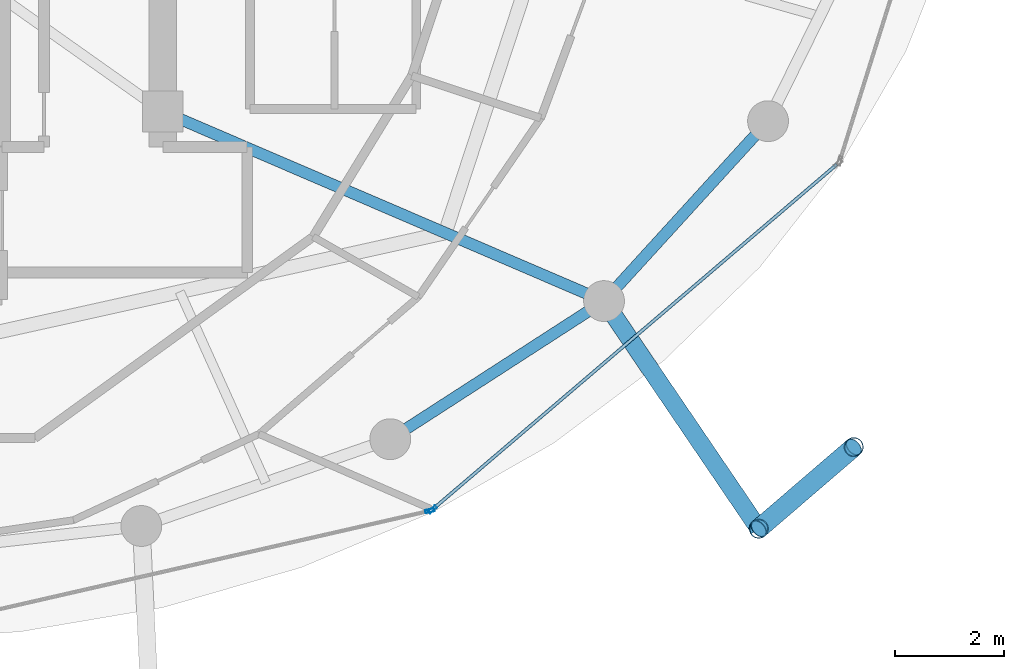
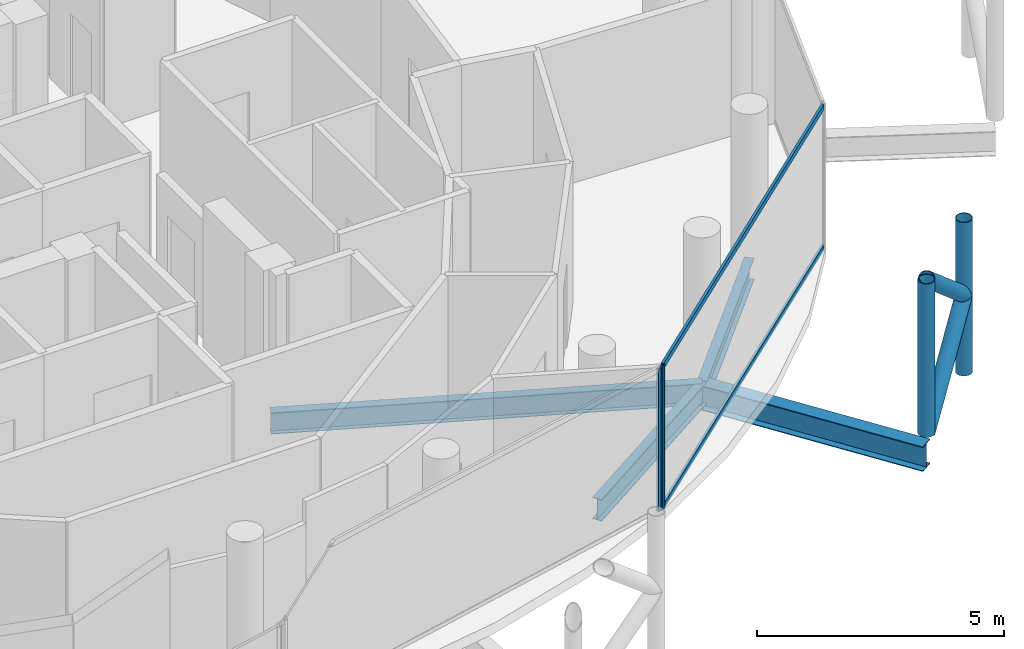
# One storey, part 9 of 24: 8 members, 4 beams, 2 elements without a shape of their own.
"""IFC4 building model written with IfcOpenShell, lengths in metres."""

from ifc_helpers import new_model, si_unit, direction, frame, origin, origin_2d, place, context, subcontext, project, spatial, hollow_rectangle, hollow_circle, i_section, extrude, material, layer, layer_set, material_profile, profile_set, type_object, element, aggregate, save


model = new_model("IFC4")

# Units and contexts
model_context = context("Model", 3, precision=1e-05, world=origin(), true_north=direction((0.0, 1.0)))
body_context = subcontext(model_context, "Body", "Model", "MODEL_VIEW")
ifc_project = project(units=[si_unit("LENGTHUNIT", "METRE"), si_unit("AREAUNIT", "SQUARE_METRE"), si_unit("VOLUMEUNIT", "CUBIC_METRE"), si_unit("PLANEANGLEUNIT", "RADIAN"), si_unit("MASSUNIT", "GRAM", prefix="KILO")], contexts=[model_context])

# Site, building, storey
site_placement = place(None, origin())
site = spatial("IfcSite", under=ifc_project, at=site_placement, CompositionType="ELEMENT")
building_placement = place(site_placement, origin())
building = spatial("IfcBuilding", under=site, at=building_placement, Name="Nuhasar Tower", CompositionType="ELEMENT")
storey_placement = place(building_placement, frame((0.0, 0.0, 259.39990234375)))
storey = spatial("IfcBuildingStorey", under=building, at=storey_placement, Name="L64", CompositionType="ELEMENT", Elevation=259.39990234375)

# Beams
ifc_material_1 = material(Name="Steel S355", Category="steel")
ifc_material_profile_1 = material_profile(ifc_material_1, i_section(OverallWidth=0.208984375, OverallDepth=0.528076171875, WebThickness=0.009521484375, FlangeThickness=0.01318359375, at=origin_2d()), Name="W21X55")
ifc_profile_set_1 = profile_set([ifc_material_profile_1], Name="Steel S355")
beam_type_1 = type_object("IfcBeamType", Name="BM-RAD-W21X55", PredefinedType="BEAM", material=ifc_profile_set_1)
beam_1_placement = place(storey_placement, frame((44.300048828125, 19.0, -0.52392578125), z_axis=(0.91887119061, -0.394557644797, 0.0), x_axis=(0.394557644797, 0.91887119061, 0.0)))
element("IfcBeam", 1, at=beam_1_placement, inside=storey, type_object=beam_type_1, Name="L64 Radial Floor Girder 03", PredefinedType="BEAM", context=body_context, shape_type="SweptSolid", body=[
    extrude(i_section(OverallWidth=0.208984375, OverallDepth=0.528076171875, WebThickness=0.009521484375, FlangeThickness=0.01318359375, at=origin_2d()), origin(), (0.0, 0.0, 1.0), 8.81494140625),
])
ifc_material_profile_2 = material_profile(ifc_material_1, i_section(OverallWidth=0.2099609375, OverallDepth=0.537109375, WebThickness=0.010986328125, FlangeThickness=0.017333984375, at=origin_2d()), Name="W21X68")
ifc_profile_set_2 = profile_set([ifc_material_profile_2], Name="Steel S355")
beam_type_2 = type_object("IfcBeamType", Name="BM-RING-W21X68", PredefinedType="SPANDREL", material=ifc_profile_set_2)
beam_2_placement = place(storey_placement, frame((48.47509765625, 12.987060546875, -0.52880859375), z_axis=(0.840025485934, 0.542546940809, 0.0), x_axis=(-0.542546940809, 0.840025485934, 0.0)))
element("IfcBeam", 2, at=beam_2_placement, inside=storey, type_object=beam_type_2, Name="L64 Perimeter Ring Spandrel 21", PredefinedType="SPANDREL", context=body_context, shape_type="SweptSolid", body=[
    extrude(i_section(OverallWidth=0.2099609375, OverallDepth=0.537109375, WebThickness=0.010986328125, FlangeThickness=0.017333984375, at=origin_2d()), origin(), (0.0, 0.0, 1.0), 4.67236328125),
])
beam_3_placement = place(storey_placement, frame((52.39990234375, 15.52197265625, -0.52880859375), z_axis=(0.673686302939, 0.739017432293, 0.0), x_axis=(-0.739017432293, 0.673686302939, 0.0)))
element("IfcBeam", 3, at=beam_3_placement, inside=storey, type_object=beam_type_2, Name="L64 Perimeter Ring Spandrel 22", PredefinedType="SPANDREL", context=body_context, shape_type="SweptSolid", body=[
    extrude(i_section(OverallWidth=0.2099609375, OverallDepth=0.537109375, WebThickness=0.010986328125, FlangeThickness=0.017333984375, at=origin_2d()), origin(), (0.0, 0.0, 1.0), 4.469482421875),
])
ifc_material_profile_3 = material_profile(ifc_material_1, i_section(OverallWidth=0.323974609375, OverallDepth=0.611083984375, WebThickness=0.0126953125, FlangeThickness=0.01904296875, at=origin_2d()), Name="W24X104")
ifc_profile_set_3 = profile_set([ifc_material_profile_3], Name="Steel S355")
beam_type_3 = type_object("IfcBeamType", Name="BM-TIE-W24X104", PredefinedType="BEAM", material=ifc_profile_set_3)
beam_4_placement = place(storey_placement, frame((52.39990234375, 15.52197265625, -0.56591796875), z_axis=(0.562093254487, -0.827073862034, 0.0), x_axis=(0.827073862034, 0.562093254487, 0.0)))
element("IfcBeam", 4, at=beam_4_placement, inside=storey, type_object=beam_type_3, Name="L64 Exoskeleton Node Tie Beam 11", PredefinedType="BEAM", context=body_context, shape_type="SweptSolid", body=[
    extrude(i_section(OverallWidth=0.323974609375, OverallDepth=0.611083984375, WebThickness=0.0126953125, FlangeThickness=0.01904296875, at=origin_2d()), origin(), (0.0, 0.0, 1.0), 5.052734375),
])

# Curtain wall, member
ifc_material_2 = material(Name="Aluminium 6063-T6", Category="aluminium")
ifc_layer = layer(ifc_material_2, 0.18994140625)
ifc_layer_set = layer_set([ifc_layer], Name="Aluminium 6063-T6")
curtain_wall_type = type_object("IfcCurtainWallType", Name="CW-Z4-PEN", PredefinedType="NOTDEFINED", material=ifc_layer_set)
curtain_wall_1_placement = place(storey_placement, origin())
curtain_wall_1 = element("IfcCurtainWall", 5, at=curtain_wall_1_placement, inside=storey, type_object=curtain_wall_type, Name="L64 Unitised Curtain Wall 10", PredefinedType="NOTDEFINED")
ifc_material_profile_4 = material_profile(ifc_material_2, hollow_rectangle(XDim=0.06005859375, YDim=0.1650390625, WallThickness=0.0048828125, at=origin_2d()), Name="CWM-5")
ifc_profile_set_4 = profile_set([ifc_material_profile_4], Name="Aluminium 6063-T6")
member_type_1 = type_object("IfcMemberType", Name="CW-MUL-S5", PredefinedType="MULLION", material=ifc_profile_set_4)
member_1_placement = place(storey_placement, frame((49.20068359375, 11.67236328125, 0.0), z_axis=(0.0, 0.0, 1.0), x_axis=(-0.222889487645, 0.97484371891, 0.0)))
member_1 = element("IfcMember", 6, at=member_1_placement, type_object=member_type_1, Name="CW-Z4 mullion 2", PredefinedType="MULLION", context=body_context, shape_type="SweptSolid", body=[
    extrude(hollow_rectangle(XDim=0.06005859375, YDim=0.1650390625, WallThickness=0.0048828125, at=origin_2d()), origin(), (0.0, 0.0, 1.0), 3.5400390625),
])
aggregate(curtain_wall_1, [member_1])

# Curtain wall, members
curtain_wall_2_placement = place(storey_placement, origin())
curtain_wall_2 = element("IfcCurtainWall", 7, at=curtain_wall_2_placement, inside=storey, type_object=curtain_wall_type, Name="L64 Unitised Curtain Wall 11", PredefinedType="NOTDEFINED")
member_2_placement = place(storey_placement, frame((49.2529296875, 11.698486328125, 0.0), z_axis=(0.0, 0.0, 1.0), x_axis=(-0.649141996205, 0.760667252327, 0.0)))
member_2 = element("IfcMember", 8, at=member_2_placement, type_object=member_type_1, Name="CW-Z4 mullion 1", PredefinedType="MULLION", context=body_context, shape_type="SweptSolid", body=[
    extrude(hollow_rectangle(XDim=0.06005859375, YDim=0.1650390625, WallThickness=0.0048828125, at=origin_2d()), origin(), (0.0, 0.0, 1.0), 3.5400390625),
])
ifc_material_profile_5 = material_profile(ifc_material_2, hollow_rectangle(XDim=0.06005859375, YDim=0.135009765625, WallThickness=0.00439453125, at=origin_2d()), Name="CWT-5")
ifc_profile_set_5 = profile_set([ifc_material_profile_5], Name="Aluminium 6063-T6")
member_type_2 = type_object("IfcMemberType", Name="CW-TRN-S5", PredefinedType="USERDEFINED", material=ifc_profile_set_5)
member_3_placement = place(storey_placement, frame((49.275634765625, 11.718017578125, 0.030029296875), z_axis=(0.760672431431, 0.649135927261, 0.0), x_axis=(-0.649135927261, 0.760672431431, 0.0)))
member_3 = element("IfcMember", 9, at=member_3_placement, type_object=member_type_2, Name="CW-Z4 transom 1.1", ObjectType="TRANSOM", PredefinedType="USERDEFINED", context=body_context, shape_type="SweptSolid", body=[
    extrude(hollow_rectangle(XDim=0.06005859375, YDim=0.135009765625, WallThickness=0.00439453125, at=origin_2d()), origin(), (0.0, 0.0, 1.0), 9.72509765625),
])
member_4_placement = place(storey_placement, frame((49.275634765625, 11.718017578125, 3.510009765625), z_axis=(0.760672431431, 0.649135927261, 0.0), x_axis=(-0.649135927261, 0.760672431431, 0.0)))
member_4 = element("IfcMember", 10, at=member_4_placement, type_object=member_type_2, Name="CW-Z4 transom 1.2", ObjectType="TRANSOM", PredefinedType="USERDEFINED", context=body_context, shape_type="SweptSolid", body=[
    extrude(hollow_rectangle(XDim=0.06005859375, YDim=0.135009765625, WallThickness=0.00439453125, at=origin_2d()), origin(), (0.0, 0.0, 1.0), 9.72509765625),
])
aggregate(curtain_wall_2, [member_2, member_3, member_4])

# Members
ifc_material_3 = material(Name="Steel S460", Category="steel")
ifc_material_profile_6 = material_profile(ifc_material_3, hollow_circle(Radius=0.177734375, WallThickness=0.015869140625, at=origin_2d()), Name="HSS355.6X15.9")
ifc_profile_set_6 = profile_set([ifc_material_profile_6], Name="Steel S460")
member_type_3 = type_object("IfcMemberType", Name="EXO-BRONZE-356", PredefinedType="BRACE", material=ifc_profile_set_6)
for number, where, z_axis, x_axis, name in (
    (11, (55.239990234375, 11.343017578125, 0.0), (0.0, 0.0, 1.0), (1.0, 0.0, 0.0), "L64 Exoskeleton Chord Column EC-11A"),
    (12, (56.98388671875, 12.842041015625, 0.0), (0.0, 0.0, 1.0), (1.0, 0.0, 0.0), "L64 Exoskeleton Chord Column EC-11B"),
):
    element("IfcMember", number, at=place(storey_placement, frame(where, z_axis=z_axis, x_axis=x_axis)), inside=storey, type_object=member_type_3, Name=name, PredefinedType="BRACE", context=body_context, shape_type="SweptSolid", body=[
        extrude(hollow_circle(Radius=0.177734375, WallThickness=0.015869140625, at=origin_2d()), origin(), (0.0, 0.0, 1.0), 3.800048828125),
    ])
member_5_placement = place(storey_placement, frame((55.239990234375, 11.343017578125, 0.0), z_axis=(0.584594747408, 0.50250759472, 0.636973389203), x_axis=(-0.65185738425, 0.758341579104, 0.0)))
element("IfcMember", 13, at=member_5_placement, inside=storey, type_object=member_type_3, Name="L64 Bronze Diagrid Brace W1-11", PredefinedType="BRACE", context=body_context, shape_type="SweptSolid", body=[
    extrude(hollow_circle(Radius=0.177734375, WallThickness=0.015869140625, at=origin_2d()), origin(), (0.0, 0.0, 1.0), 2.983154296875),
])
member_6_placement = place(storey_placement, frame((56.98388671875, 12.842041015625, 1.900146484375), z_axis=(-0.584625223306, -0.502533791278, 0.636924749792), x_axis=(0.65185738425, -0.758341579104, 0.0)))
element("IfcMember", 14, at=member_6_placement, inside=storey, type_object=member_type_3, Name="L64 Bronze Diagrid Brace W2-11", PredefinedType="BRACE", context=body_context, shape_type="SweptSolid", body=[
    extrude(hollow_circle(Radius=0.177734375, WallThickness=0.015869140625, at=origin_2d()), origin(), (0.0, 0.0, 1.0), 2.98291015625),
])

save(model, "model.ifc")
